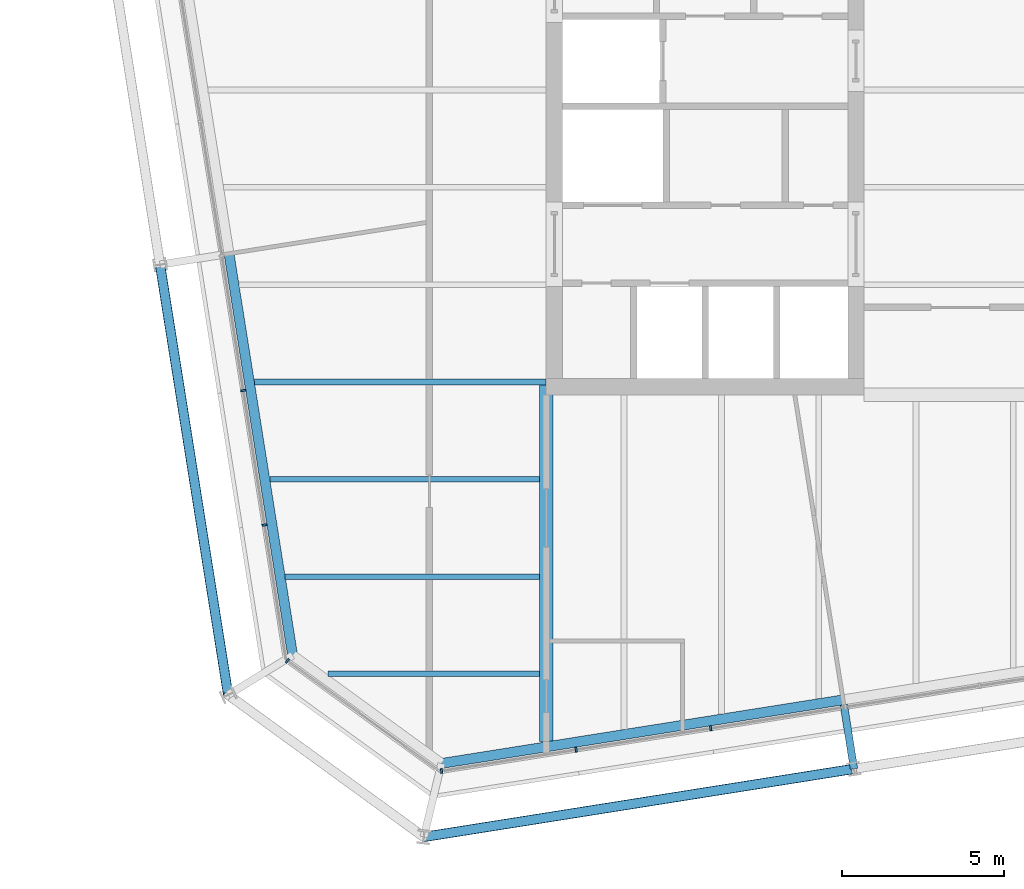
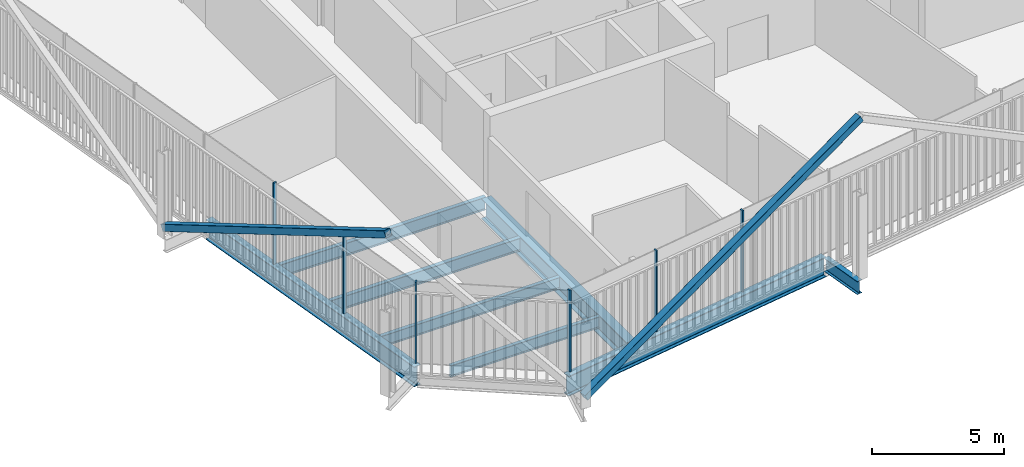
# One storey, part 2 of 21: 8 beams, 8 members, 3 elements without a shape of their own.
"""IFC4 building model written with IfcOpenShell, lengths in metres."""

from ifc_helpers import new_model, si_unit, direction, frame, origin, origin_2d, place, context, subcontext, project, spatial, rectangle, hollow_rectangle, i_section, extrude, material, layer, layer_set, material_profile, profile_set, type_object, element, aggregate, save


model = new_model("IFC4")

# Units and contexts
model_context = context("Model", 3, precision=1e-05, world=origin(), true_north=direction((0.0, 1.0)))
body_context = subcontext(model_context, "Body", "Model", "MODEL_VIEW")
ifc_project = project(units=[si_unit("LENGTHUNIT", "METRE"), si_unit("AREAUNIT", "SQUARE_METRE"), si_unit("VOLUMEUNIT", "CUBIC_METRE"), si_unit("PLANEANGLEUNIT", "RADIAN"), si_unit("MASSUNIT", "GRAM", prefix="KILO")], contexts=[model_context])

# Site, building, storey
site_placement = place(None, origin())
site = spatial("IfcSite", under=ifc_project, at=site_placement, CompositionType="ELEMENT")
building_placement = place(site_placement, origin())
building = spatial("IfcBuilding", under=site, at=building_placement, Name="Millrace Tower", CompositionType="ELEMENT")
storey_placement = place(building_placement, frame((0.0, 0.0, 247.39990234375)))
storey = spatial("IfcBuildingStorey", under=building, at=storey_placement, Name="L56", CompositionType="ELEMENT", Elevation=247.39990234375)

# Curtain wall, member
ifc_material_1 = material(Name="Aluminium and glass", Category="aluminium")
ifc_layer = layer(ifc_material_1, 0.14990234375)
ifc_layer_set = layer_set([ifc_layer], Name="Aluminium and glass")
curtain_wall_type = type_object("IfcCurtainWallType", Name="CW-1 office vision curtain wall", PredefinedType="NOTDEFINED", material=ifc_layer_set)
placement = place(storey_placement, origin())
curtain_wall_1 = element("IfcCurtainWall", 1, at=placement, inside=storey, type_object=curtain_wall_type, Name="Curtain wall D-F01 L56", PredefinedType="NOTDEFINED")
ifc_material_2 = material(Name="Aluminium", Category="aluminium")
ifc_material_profile_1 = material_profile(ifc_material_2, rectangle(XDim=0.06494140625, YDim=0.14990234375, at=origin_2d()))
ifc_profile_set_1 = profile_set([ifc_material_profile_1], Name="Aluminium")
member_type_1 = type_object("IfcMemberType", Name="CW-1 office vision curtain wall mullion", PredefinedType="MULLION", material=ifc_profile_set_1)
member_1_placement = place(storey_placement, frame((-22.3779296875, -17.594970703125, 0.14013671875), z_axis=(0.0, 0.0, 1.0), x_axis=(0.809016955361, -0.587785305991, 0.0)))
member_1 = element("IfcMember", 2, at=member_1_placement, type_object=member_type_1, Name="CW1 mullion D-F01.1", PredefinedType="MULLION", context=body_context, shape_type="SweptSolid", body=[
    extrude(rectangle(XDim=0.06494140625, YDim=0.14990234375, at=origin_2d()), origin(), (0.0, 0.0, 1.0), 3.760009765625),
])
aggregate(curtain_wall_1, [member_1])

# Curtain wall, members
curtain_wall_2 = element("IfcCurtainWall", 3, at=placement, inside=storey, type_object=curtain_wall_type, Name="Curtain wall D-F02 L56", PredefinedType="NOTDEFINED")
member_2_placement = place(storey_placement, frame((-17.62548828125, -20.992431640625, 0.14013671875), z_axis=(0.0, 0.0, 1.0), x_axis=(0.987688339511, 0.156434471884, 0.0)))
member_2 = element("IfcMember", 4, at=member_2_placement, type_object=member_type_1, Name="CW1 mullion D-F02.1", PredefinedType="MULLION", context=body_context, shape_type="SweptSolid", body=[
    extrude(rectangle(XDim=0.06494140625, YDim=0.14990234375, at=origin_2d()), origin(), (0.0, 0.0, 1.0), 3.760009765625),
])
member_3_placement = place(storey_placement, frame((-13.477294921875, -20.33544921875, 0.14013671875), z_axis=(0.0, 0.0, 1.0), x_axis=(0.987688339511, 0.156434471884, 0.0)))
member_3 = element("IfcMember", 5, at=member_3_placement, type_object=member_type_1, Name="CW1 mullion D-F02.2", PredefinedType="MULLION", context=body_context, shape_type="SweptSolid", body=[
    extrude(rectangle(XDim=0.06494140625, YDim=0.14990234375, at=origin_2d()), origin(), (0.0, 0.0, 1.0), 3.760009765625),
])
member_4_placement = place(storey_placement, frame((-9.328857421875, -19.678466796875, 0.14013671875), z_axis=(0.0, 0.0, 1.0), x_axis=(0.987688339511, 0.156434471884, 0.0)))
member_4 = element("IfcMember", 6, at=member_4_placement, type_object=member_type_1, Name="CW1 mullion D-F02.3", PredefinedType="MULLION", context=body_context, shape_type="SweptSolid", body=[
    extrude(rectangle(XDim=0.06494140625, YDim=0.14990234375, at=origin_2d()), origin(), (0.0, 0.0, 1.0), 3.760009765625),
])
aggregate(curtain_wall_2, [member_2, member_3, member_4])

curtain_wall_3 = element("IfcCurtainWall", 7, at=placement, inside=storey, type_object=curtain_wall_type, Name="Curtain wall D-F08 L56", PredefinedType="NOTDEFINED")
member_5_placement = place(storey_placement, frame((-23.7431640625, -9.262451171875, 0.14013671875), z_axis=(0.0, 0.0, 1.0), x_axis=(0.156434471884, -0.987688339511, 0.0)))
member_5 = element("IfcMember", 8, at=member_5_placement, type_object=member_type_1, Name="CW1 mullion D-F08.8", PredefinedType="MULLION", context=body_context, shape_type="SweptSolid", body=[
    extrude(rectangle(XDim=0.06494140625, YDim=0.14990234375, at=origin_2d()), origin(), (0.0, 0.0, 1.0), 3.760009765625),
])
member_6_placement = place(storey_placement, frame((-23.086181640625, -13.410888671875, 0.14013671875), z_axis=(0.0, 0.0, 1.0), x_axis=(0.156434471884, -0.987688339511, 0.0)))
member_6 = element("IfcMember", 9, at=member_6_placement, type_object=member_type_1, Name="CW1 mullion D-F08.9", PredefinedType="MULLION", context=body_context, shape_type="SweptSolid", body=[
    extrude(rectangle(XDim=0.06494140625, YDim=0.14990234375, at=origin_2d()), origin(), (0.0, 0.0, 1.0), 3.760009765625),
])
aggregate(curtain_wall_3, [member_5, member_6])

# Members
ifc_material_3 = material(Name="Steel ASTM A500 Grade C", Category="steel")
ifc_material_profile_2 = material_profile(ifc_material_3, hollow_rectangle(XDim=0.3046875, YDim=0.3046875, WallThickness=0.009521484375, InnerFilletRadius=0.004638671875, OuterFilletRadius=0.014404296875, at=origin_2d()))
ifc_profile_set_2 = profile_set([ifc_material_profile_2], Name="Steel ASTM A500 Grade C")
member_type_2 = type_object("IfcMemberType", Name="Exoskeleton brace HSS12x12x3/8", PredefinedType="BRACE", material=ifc_profile_set_2)
member_7_placement = place(storey_placement, frame((-18.174560546875, -23.0283203125, 0.400146484375), z_axis=(0.875831763156, 0.138714339442, 0.462252154868), x_axis=(-0.156430301989, 0.987688999949, 0.0)))
element("IfcMember", 10, at=member_7_placement, inside=storey, type_object=member_type_2, Name="BRC-D-L56-02", PredefinedType="BRACE", context=body_context, shape_type="SweptSolid", body=[
    extrude(hollow_rectangle(XDim=0.3046875, YDim=0.3046875, WallThickness=0.009521484375, InnerFilletRadius=0.004638671875, OuterFilletRadius=0.014404296875, at=origin_2d()), origin(), (0.0, 0.0, 1.0), 15.143310546875),
])
member_8_placement = place(storey_placement, frame((-26.306640625, -5.38330078125, 0.400146484375), z_axis=(0.138712380788, -0.87583551821, 0.462245627841), x_axis=(0.987689444837, 0.156427492975, 0.0)))
element("IfcMember", 11, at=member_8_placement, inside=storey, type_object=member_type_2, Name="BRC-D-L56-16", PredefinedType="BRACE", context=body_context, shape_type="SweptSolid", body=[
    extrude(hollow_rectangle(XDim=0.3046875, YDim=0.3046875, WallThickness=0.009521484375, InnerFilletRadius=0.004638671875, OuterFilletRadius=0.014404296875, at=origin_2d()), origin(), (0.0, 0.0, 1.0), 15.1435546875),
])

# Beams
ifc_material_4 = material(Name="Steel ASTM A992 Grade 50", Category="steel")
ifc_material_profile_3 = material_profile(ifc_material_4, i_section(OverallWidth=0.1650390625, OverallDepth=0.52587890625, WebThickness=0.0087890625, FlangeThickness=0.011474609375, FilletRadius=0.0126953125, at=origin_2d()))
ifc_profile_set_3 = profile_set([ifc_material_profile_3], Name="Steel ASTM A992 Grade 50")
beam_type_1 = type_object("IfcBeamType", Name="Floor beam W21x44", PredefinedType="JOIST", material=ifc_profile_set_3)
beam_1_placement = place(storey_placement, frame((-22.447509765625, -15.0, -0.4228515625), z_axis=(1.0, 0.0, 0.0), x_axis=(0.0, 1.0, 0.0)))
element("IfcBeam", 12, at=beam_1_placement, inside=storey, type_object=beam_type_1, Name="BM-D-L56-S1-S002", PredefinedType="JOIST", context=body_context, shape_type="SweptSolid", body=[
    extrude(i_section(OverallWidth=0.1650390625, OverallDepth=0.52587890625, WebThickness=0.0087890625, FlangeThickness=0.011474609375, FilletRadius=0.0126953125, at=origin_2d()), origin(), (0.0, 0.0, 1.0), 7.837890625),
])
beam_2_placement = place(storey_placement, frame((-21.13427734375, -18.0, -0.4228515625), z_axis=(1.0, 0.0, 0.0), x_axis=(0.0, 1.0, 0.0)))
element("IfcBeam", 13, at=beam_2_placement, inside=storey, type_object=beam_type_1, Name="BM-D-L56-S1-S001", PredefinedType="JOIST", context=body_context, shape_type="SweptSolid", body=[
    extrude(i_section(OverallWidth=0.1650390625, OverallDepth=0.52587890625, WebThickness=0.0087890625, FlangeThickness=0.011474609375, FilletRadius=0.0126953125, at=origin_2d()), origin(), (0.0, 0.0, 1.0), 6.524658203125),
])
ifc_material_5 = material(Name="Steel ASTM A992 Grade 50", Category="steel")
ifc_material_profile_4 = material_profile(ifc_material_5, i_section(OverallWidth=0.177978515625, OverallDepth=0.599365234375, WebThickness=0.010009765625, FlangeThickness=0.012939453125, FilletRadius=0.012939453125, at=origin_2d()))
ifc_profile_set_4 = profile_set([ifc_material_profile_4], Name="Steel ASTM A992 Grade 50")
beam_type_2 = type_object("IfcBeamType", Name="Floor beam W24x55", PredefinedType="JOIST", material=ifc_profile_set_4)
beam_3_placement = place(storey_placement, frame((-22.922607421875, -12.0, -0.459716796875), z_axis=(1.0, 0.0, 0.0), x_axis=(0.0, 1.0, 0.0)))
element("IfcBeam", 14, at=beam_3_placement, inside=storey, type_object=beam_type_2, Name="BM-D-L56-S1-S004", PredefinedType="JOIST", context=body_context, shape_type="SweptSolid", body=[
    extrude(i_section(OverallWidth=0.177978515625, OverallDepth=0.599365234375, WebThickness=0.010009765625, FlangeThickness=0.012939453125, FilletRadius=0.012939453125, at=origin_2d()), origin(), (0.0, 0.0, 1.0), 8.31298828125),
])
beam_4_placement = place(storey_placement, frame((-23.397705078125, -9.0, -0.459716796875), z_axis=(1.0, 0.0, 0.0), x_axis=(0.0, 1.0, 0.0)))
element("IfcBeam", 15, at=beam_4_placement, inside=storey, type_object=beam_type_2, Name="BM-D-L56-S1-S006", PredefinedType="JOIST", context=body_context, shape_type="SweptSolid", body=[
    extrude(i_section(OverallWidth=0.177978515625, OverallDepth=0.599365234375, WebThickness=0.010009765625, FlangeThickness=0.012939453125, FilletRadius=0.012939453125, at=origin_2d()), origin(), (0.0, 0.0, 1.0), 8.997802734375),
])
ifc_material_6 = material(Name="Steel ASTM A992 Grade 50", Category="steel")
ifc_material_profile_5 = material_profile(ifc_material_6, i_section(OverallWidth=0.419189453125, OverallDepth=0.927001953125, WebThickness=0.019287109375, FlangeThickness=0.031982421875, FilletRadius=0.024169921875, at=origin_2d()))
ifc_profile_set_5 = profile_set([ifc_material_profile_5], Name="Steel ASTM A992 Grade 50")
beam_type_3 = type_object("IfcBeamType", Name="Girder short span W36x231", PredefinedType="BEAM", material=ifc_profile_set_5)
beam_5_placement = place(storey_placement, frame((-14.39990234375, -20.08642578125, -0.62353515625), z_axis=(0.0, 1.0, 0.0), x_axis=(-1.0, 0.0, 0.0)))
element("IfcBeam", 16, at=beam_5_placement, inside=storey, type_object=beam_type_3, Name="BM-D-L56-S1-G055", PredefinedType="BEAM", context=body_context, shape_type="SweptSolid", body=[
    extrude(i_section(OverallWidth=0.419189453125, OverallDepth=0.927001953125, WebThickness=0.019287109375, FlangeThickness=0.031982421875, FilletRadius=0.024169921875, at=origin_2d()), origin(), (0.0, 0.0, 1.0), 10.994384765625),
])
ifc_material_7 = material(Name="Steel ASTM A992 Grade 50", Category="steel")
ifc_material_profile_6 = material_profile(ifc_material_7, i_section(OverallWidth=0.23046875, OverallDepth=0.6171875, WebThickness=0.01318359375, FlangeThickness=0.022216796875, FilletRadius=0.012939453125, at=origin_2d()))
ifc_profile_set_6 = profile_set([ifc_material_profile_6], Name="Steel ASTM A992 Grade 50")
beam_type_4 = type_object("IfcBeamType", Name="Link beam W24x94", PredefinedType="BEAM", material=ifc_profile_set_6)
beam_6_placement = place(storey_placement, frame((-5.224365234375, -18.952392578125, -0.468505859375), z_axis=(0.15637629034, -0.987697552806, 0.0), x_axis=(0.987697552806, 0.15637629034, 0.0)))
element("IfcBeam", 17, at=beam_6_placement, inside=storey, type_object=beam_type_4, Name="LNK-D-L56-S1-15", PredefinedType="BEAM", context=body_context, shape_type="SweptSolid", body=[
    extrude(i_section(OverallWidth=0.23046875, OverallDepth=0.6171875, WebThickness=0.01318359375, FlangeThickness=0.022216796875, FilletRadius=0.012939453125, at=origin_2d()), origin(), (0.0, 0.0, 1.0), 2.0),
])
ifc_material_8 = material(Name="Steel ASTM A992 Grade 50", Category="steel")
ifc_material_profile_7 = material_profile(ifc_material_8, i_section(OverallWidth=0.307373046875, OverallDepth=0.927001953125, WebThickness=0.01953125, FlangeThickness=0.031982421875, FilletRadius=0.01904296875, at=origin_2d()))
ifc_profile_set_7 = profile_set([ifc_material_profile_7], Name="Steel ASTM A992 Grade 50")
beam_type_5 = type_object("IfcBeamType", Name="Ring beam medium span W36x194", PredefinedType="SPANDREL", material=ifc_profile_set_7)
beam_7_placement = place(storey_placement, frame((-22.218505859375, -17.428466796875, -0.62353515625), z_axis=(-0.156419577072, 0.987690698503, 0.0), x_axis=(-0.987690698503, -0.156419577072, 0.0)))
element("IfcBeam", 18, at=beam_7_placement, inside=storey, type_object=beam_type_5, Name="RNG-D-L56-S1-01", PredefinedType="SPANDREL", context=body_context, shape_type="SweptSolid", body=[
    extrude(i_section(OverallWidth=0.307373046875, OverallDepth=0.927001953125, WebThickness=0.01953125, FlangeThickness=0.031982421875, FilletRadius=0.01904296875, at=origin_2d()), origin(), (0.0, 0.0, 1.0), 12.536376953125),
])
beam_8_placement = place(storey_placement, frame((-5.24853515625, -18.800537109375, -0.62353515625), z_axis=(-0.987687213011, -0.156441584157, 0.0), x_axis=(0.156441584157, -0.987687213011, 0.0)))
element("IfcBeam", 19, at=beam_8_placement, inside=storey, type_object=beam_type_5, Name="RNG-D-L56-S1-15", PredefinedType="SPANDREL", context=body_context, shape_type="SweptSolid", body=[
    extrude(i_section(OverallWidth=0.307373046875, OverallDepth=0.927001953125, WebThickness=0.01953125, FlangeThickness=0.031982421875, FilletRadius=0.01904296875, at=origin_2d()), origin(), (0.0, 0.0, 1.0), 12.5361328125),
])

save(model, "model.ifc")
